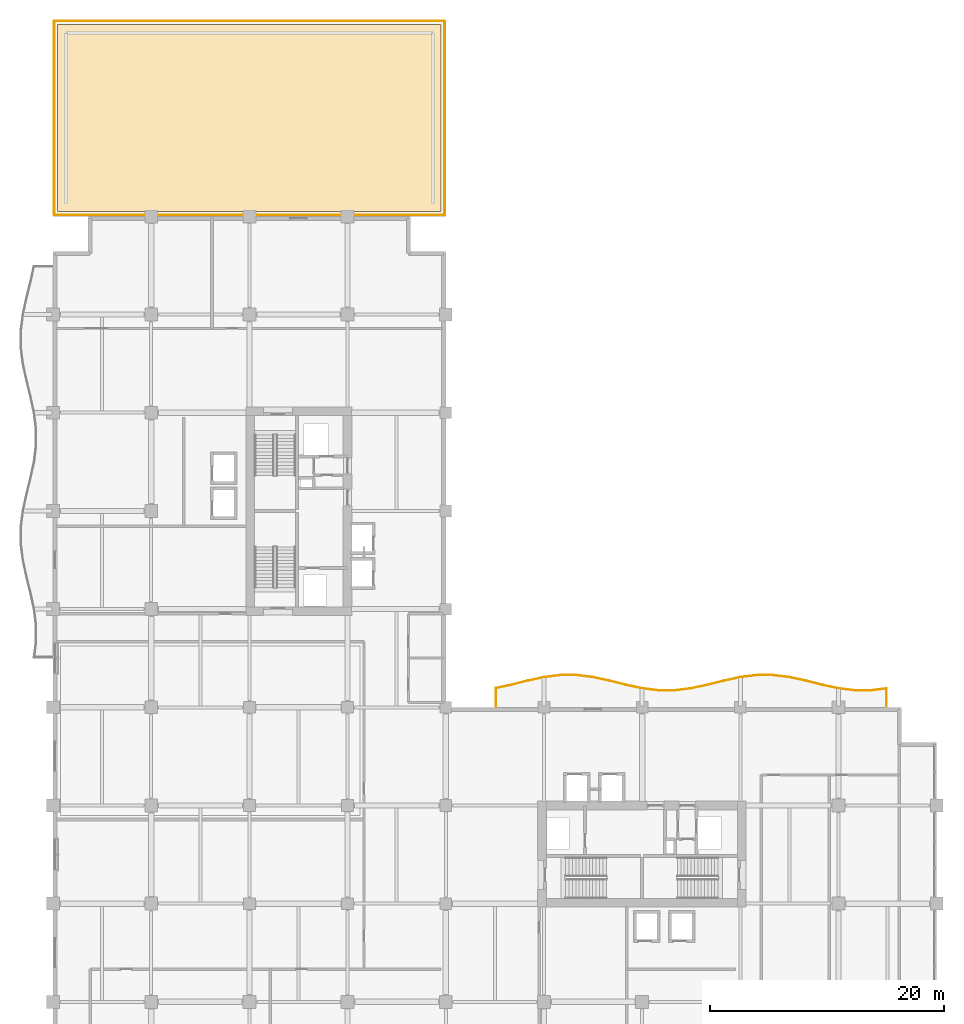
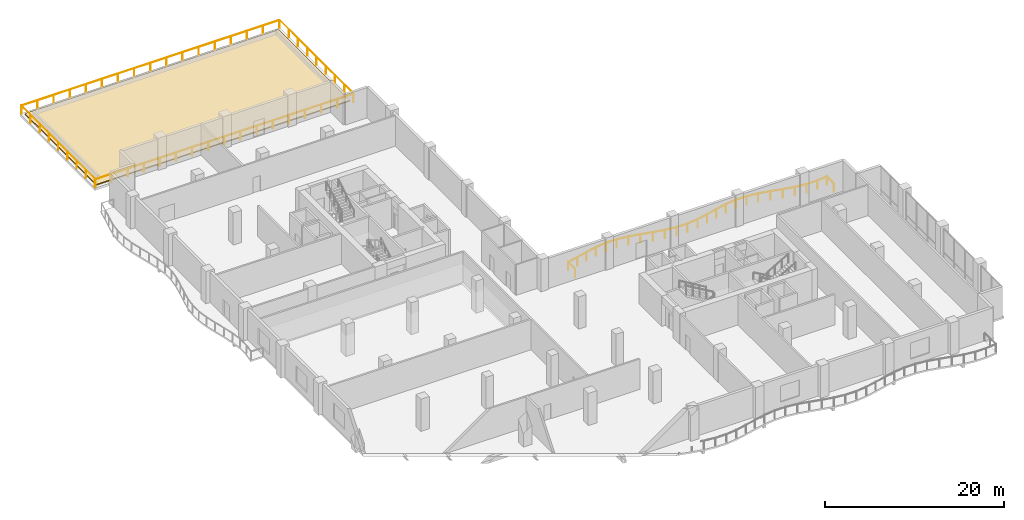
# One storey, part 22 of 22: 5 railings, 1 covering.
"""IFC4 building model written with IfcOpenShell, lengths in metres."""

from ifc_helpers import new_model, si_unit, direction, frame, origin, origin_2d, place, context, subcontext, project, spatial, polyline, circle, outline, extrude, material, layer, layer_set, type_object, element, save


model = new_model("IFC4")

# Units and contexts
model_context = context("Model", 3, precision=1e-05, world=origin(), true_north=direction((0.0, 1.0)))
body_context = subcontext(model_context, "Body", "Model", "MODEL_VIEW")
ifc_project = project(units=[si_unit("LENGTHUNIT", "METRE"), si_unit("AREAUNIT", "SQUARE_METRE"), si_unit("VOLUMEUNIT", "CUBIC_METRE"), si_unit("PLANEANGLEUNIT", "RADIAN"), si_unit("MASSUNIT", "GRAM", prefix="KILO")], contexts=[model_context])

# Site, building, storey
site_placement = place(None, origin())
site = spatial("IfcSite", under=ifc_project, at=site_placement, CompositionType="ELEMENT")
building_placement = place(site_placement, origin())
building = spatial("IfcBuilding", under=site, at=building_placement, Name="Koriwani Terraces Tower", CompositionType="ELEMENT")
storey_placement = place(building_placement, frame((0.0, 0.0, 153.199951171875)))
storey = spatial("IfcBuildingStorey", under=building, at=storey_placement, Name="L37", CompositionType="ELEMENT", Elevation=153.199951171875)

# Railings
ifc_material_1 = material(Name="Steel ASTM A572 Grade 50", Category="steel")
railing_type = type_object("IfcRailingType", Name="GUARD_BALUSTRADE_1150", PredefinedType="BALUSTRADE", material=ifc_material_1)
railing_1_placement = place(storey_placement, frame((71.320068359375, 33.679931640625, 0.0)))
element("IfcRailing", 1, at=railing_1_placement, inside=storey, type_object=railing_type, Name="L37 Balcony Perimeter Safety Balustrade (NE)", PredefinedType="BALUSTRADE", context=body_context, shape_type="SweptSolid", body=[
    extrude(circle(Radius=0.02392578125, at=origin_2d()), frame((0.0, 0.0, 1.1259765625), z_axis=(0.0, 1.0, 0.0), x_axis=(-1.0, 0.0, 0.0)), (0.0, 0.0, 1.0), 1.527099609375),
    extrude(circle(Radius=0.02392578125, at=origin_2d()), frame((0.0, 1.527099609375, 1.1259765625), z_axis=(-0.992331628798, -0.123603958219, 0.0), x_axis=(0.123603958219, -0.992331628798, 0.0)), (0.0, 0.0, 1.0), 1.325439453125),
    extrude(circle(Radius=0.02392578125, at=origin_2d()), frame((-1.315185546875, 1.36328125, 1.1259765625), z_axis=(-1.0, 0.0, 0.0), x_axis=(0.0, -1.0, 0.0)), (0.0, 0.0, 1.0), 1.409912109375),
    extrude(circle(Radius=0.02392578125, at=origin_2d()), frame((-2.72509765625, 1.36328125, 1.1259765625), z_axis=(-0.992301674614, 0.12384420276, 0.0), x_axis=(-0.12384420276, -0.992301674614, 0.0)), (0.0, 0.0, 1.0), 1.41943359375),
    extrude(circle(Radius=0.02392578125, at=origin_2d()), frame((-4.133544921875, 1.5390625, 1.1259765625), z_axis=(-0.977445455552, 0.211188023857, 0.0), x_axis=(-0.211188023857, -0.977445455552, 0.0)), (0.0, 0.0, 1.0), 1.43701171875),
    extrude(circle(Radius=0.02392578125, at=origin_2d()), frame((-5.5380859375, 1.842529296875, 1.1259765625), z_axis=(-0.970251871253, 0.242097720621, 0.0), x_axis=(-0.242097720621, -0.970251871253, 0.0)), (0.0, 0.0, 1.0), 1.443115234375),
    extrude(circle(Radius=0.02392578125, at=origin_2d()), frame((-6.938232421875, 2.19189453125, 1.1259765625), z_axis=(-0.977438029446, 0.211222391315, 0.0), x_axis=(-0.211222391315, -0.977438029446, 0.0)), (0.0, 0.0, 1.0), 1.427490234375),
    extrude(circle(Radius=0.02392578125, at=origin_2d()), frame((-8.33349609375, 2.493408203125, 1.1259765625), z_axis=(-0.992309982997, 0.123777613669, 0.0), x_axis=(-0.123777613669, -0.992309982997, 0.0)), (0.0, 0.0, 1.0), 1.40234375),
    extrude(circle(Radius=0.02392578125, at=origin_2d()), frame((-9.72509765625, 2.6669921875, 1.1259765625), z_axis=(-1.0, 0.0, 0.0), x_axis=(0.0, -1.0, 0.0)), (0.0, 0.0, 1.0), 1.389892578125),
    extrude(circle(Radius=0.02392578125, at=origin_2d()), frame((-11.114990234375, 2.6669921875, 1.1259765625), z_axis=(-0.992309982997, -0.123777613669, 0.0), x_axis=(0.123777613669, -0.992309982997, 0.0)), (0.0, 0.0, 1.0), 1.40234375),
    extrude(circle(Radius=0.02392578125, at=origin_2d()), frame((-12.506591796875, 2.493408203125, 1.1259765625), z_axis=(-0.977438029446, -0.211222391315, 0.0), x_axis=(0.211222391315, -0.977438029446, 0.0)), (0.0, 0.0, 1.0), 1.427490234375),
    extrude(circle(Radius=0.02392578125, at=origin_2d()), frame((-13.90185546875, 2.19189453125, 1.1259765625), z_axis=(-0.970251871253, -0.242097720621, 0.0), x_axis=(0.242097720621, -0.970251871253, 0.0)), (0.0, 0.0, 1.0), 1.443115234375),
    extrude(circle(Radius=0.02392578125, at=origin_2d()), frame((-15.302001953125, 1.842529296875, 1.1259765625), z_axis=(-0.977453031353, -0.21115295759, 0.0), x_axis=(0.21115295759, -0.977453031353, 0.0)), (0.0, 0.0, 1.0), 1.437255859375),
    extrude(circle(Radius=0.02392578125, at=origin_2d()), frame((-16.706787109375, 1.5390625, 1.1259765625), z_axis=(-0.992299035819, -0.123865344277, 0.0), x_axis=(0.123865344277, -0.992299035819, 0.0)), (0.0, 0.0, 1.0), 1.419189453125),
    extrude(circle(Radius=0.02392578125, at=origin_2d()), frame((-18.114990234375, 1.36328125, 1.1259765625), z_axis=(-1.0, 0.0, 0.0), x_axis=(0.0, -1.0, 0.0)), (0.0, 0.0, 1.0), 1.41015625),
    extrude(circle(Radius=0.02392578125, at=origin_2d()), frame((-19.525146484375, 1.36328125, 1.1259765625), z_axis=(-0.992299035819, 0.123865344277, 0.0), x_axis=(-0.123865344277, -0.992299035819, 0.0)), (0.0, 0.0, 1.0), 1.419189453125),
    extrude(circle(Radius=0.02392578125, at=origin_2d()), frame((-20.933349609375, 1.5390625, 1.1259765625), z_axis=(-0.977453031353, 0.21115295759, 0.0), x_axis=(-0.21115295759, -0.977453031353, 0.0)), (0.0, 0.0, 1.0), 1.437255859375),
    extrude(circle(Radius=0.02392578125, at=origin_2d()), frame((-22.338134765625, 1.842529296875, 1.1259765625), z_axis=(-0.970251871253, 0.242097720621, 0.0), x_axis=(-0.242097720621, -0.970251871253, 0.0)), (0.0, 0.0, 1.0), 1.443115234375),
    extrude(circle(Radius=0.02392578125, at=origin_2d()), frame((-23.73828125, 2.19189453125, 1.1259765625), z_axis=(-0.977438029446, 0.211222391315, 0.0), x_axis=(-0.211222391315, -0.977438029446, 0.0)), (0.0, 0.0, 1.0), 1.427490234375),
    extrude(circle(Radius=0.02392578125, at=origin_2d()), frame((-25.133544921875, 2.493408203125, 1.1259765625), z_axis=(-0.992309982997, 0.123777613669, 0.0), x_axis=(-0.123777613669, -0.992309982997, 0.0)), (0.0, 0.0, 1.0), 1.40234375),
    extrude(circle(Radius=0.02392578125, at=origin_2d()), frame((-26.525146484375, 2.6669921875, 1.1259765625), z_axis=(-1.0, 0.0, 0.0), x_axis=(0.0, -1.0, 0.0)), (0.0, 0.0, 1.0), 1.389892578125),
    extrude(circle(Radius=0.02392578125, at=origin_2d()), frame((-27.9150390625, 2.6669921875, 1.1259765625), z_axis=(-0.992309982997, -0.123777613669, 0.0), x_axis=(0.123777613669, -0.992309982997, 0.0)), (0.0, 0.0, 1.0), 1.40234375),
    extrude(circle(Radius=0.02392578125, at=origin_2d()), frame((-29.306640625, 2.493408203125, 1.1259765625), z_axis=(-0.977438029446, -0.211222391315, 0.0), x_axis=(0.211222391315, -0.977438029446, 0.0)), (0.0, 0.0, 1.0), 1.427490234375),
    extrude(circle(Radius=0.02392578125, at=origin_2d()), frame((-30.701904296875, 2.19189453125, 1.1259765625), z_axis=(-0.970251871253, -0.242097720621, 0.0), x_axis=(0.242097720621, -0.970251871253, 0.0)), (0.0, 0.0, 1.0), 1.443115234375),
    extrude(circle(Radius=0.02392578125, at=origin_2d()), frame((-32.10205078125, 1.842529296875, 1.1259765625), z_axis=(-0.977417151998, -0.211318979222, 0.0), x_axis=(0.211318979222, -0.977417151998, 0.0)), (0.0, 0.0, 1.0), 1.369140625),
    extrude(circle(Radius=0.02392578125, at=origin_2d()), frame((-33.440185546875, 1.55322265625, 1.1259765625), z_axis=(0.0, -1.0, 0.0), x_axis=(1.0, 0.0, 0.0)), (0.0, 0.0, 1.0), 1.55322265625),
    extrude(circle(Radius=0.02099609375, at=origin_2d()), origin(), (0.0, 0.0, 1.0), 1.101806640625),
    extrude(circle(Radius=0.02099609375, at=origin_2d()), frame((0.0, 1.527099609375, 0.0)), (0.0, 0.0, 1.0), 1.101806640625),
    extrude(circle(Radius=0.02099609375, at=origin_2d()), frame((-1.315185546875, 1.36328125, 0.0)), (0.0, 0.0, 1.0), 1.101806640625),
    extrude(circle(Radius=0.02099609375, at=origin_2d()), frame((-2.72509765625, 1.36328125, 0.0)), (0.0, 0.0, 1.0), 1.101806640625),
    extrude(circle(Radius=0.02099609375, at=origin_2d()), frame((-4.133544921875, 1.5390625, 0.0)), (0.0, 0.0, 1.0), 1.101806640625),
    extrude(circle(Radius=0.02099609375, at=origin_2d()), frame((-5.5380859375, 1.842529296875, 0.0)), (0.0, 0.0, 1.0), 1.101806640625),
    extrude(circle(Radius=0.02099609375, at=origin_2d()), frame((-6.938232421875, 2.19189453125, 0.0)), (0.0, 0.0, 1.0), 1.101806640625),
    extrude(circle(Radius=0.02099609375, at=origin_2d()), frame((-8.33349609375, 2.493408203125, 0.0)), (0.0, 0.0, 1.0), 1.101806640625),
    extrude(circle(Radius=0.02099609375, at=origin_2d()), frame((-9.72509765625, 2.6669921875, 0.0)), (0.0, 0.0, 1.0), 1.101806640625),
    extrude(circle(Radius=0.02099609375, at=origin_2d()), frame((-11.114990234375, 2.6669921875, 0.0)), (0.0, 0.0, 1.0), 1.101806640625),
    extrude(circle(Radius=0.02099609375, at=origin_2d()), frame((-12.506591796875, 2.493408203125, 0.0)), (0.0, 0.0, 1.0), 1.101806640625),
    extrude(circle(Radius=0.02099609375, at=origin_2d()), frame((-13.90185546875, 2.19189453125, 0.0)), (0.0, 0.0, 1.0), 1.101806640625),
    extrude(circle(Radius=0.02099609375, at=origin_2d()), frame((-15.302001953125, 1.842529296875, 0.0)), (0.0, 0.0, 1.0), 1.101806640625),
    extrude(circle(Radius=0.02099609375, at=origin_2d()), frame((-16.706787109375, 1.5390625, 0.0)), (0.0, 0.0, 1.0), 1.101806640625),
    extrude(circle(Radius=0.02099609375, at=origin_2d()), frame((-18.114990234375, 1.36328125, 0.0)), (0.0, 0.0, 1.0), 1.101806640625),
    extrude(circle(Radius=0.02099609375, at=origin_2d()), frame((-19.525146484375, 1.36328125, 0.0)), (0.0, 0.0, 1.0), 1.101806640625),
    extrude(circle(Radius=0.02099609375, at=origin_2d()), frame((-20.933349609375, 1.5390625, 0.0)), (0.0, 0.0, 1.0), 1.101806640625),
    extrude(circle(Radius=0.02099609375, at=origin_2d()), frame((-22.338134765625, 1.842529296875, 0.0)), (0.0, 0.0, 1.0), 1.101806640625),
    extrude(circle(Radius=0.02099609375, at=origin_2d()), frame((-23.73828125, 2.19189453125, 0.0)), (0.0, 0.0, 1.0), 1.101806640625),
    extrude(circle(Radius=0.02099609375, at=origin_2d()), frame((-25.133544921875, 2.493408203125, 0.0)), (0.0, 0.0, 1.0), 1.101806640625),
    extrude(circle(Radius=0.02099609375, at=origin_2d()), frame((-26.525146484375, 2.6669921875, 0.0)), (0.0, 0.0, 1.0), 1.101806640625),
    extrude(circle(Radius=0.02099609375, at=origin_2d()), frame((-27.9150390625, 2.6669921875, 0.0)), (0.0, 0.0, 1.0), 1.101806640625),
    extrude(circle(Radius=0.02099609375, at=origin_2d()), frame((-29.306640625, 2.493408203125, 0.0)), (0.0, 0.0, 1.0), 1.101806640625),
    extrude(circle(Radius=0.02099609375, at=origin_2d()), frame((-30.701904296875, 2.19189453125, 0.0)), (0.0, 0.0, 1.0), 1.101806640625),
    extrude(circle(Radius=0.02099609375, at=origin_2d()), frame((-32.10205078125, 1.842529296875, 0.0)), (0.0, 0.0, 1.0), 1.101806640625),
    extrude(circle(Radius=0.02099609375, at=origin_2d()), frame((-33.440185546875, 1.55322265625, 0.0)), (0.0, 0.0, 1.0), 1.101806640625),
    extrude(circle(Radius=0.02099609375, at=origin_2d()), frame((-33.440185546875, 0.0, 0.0)), (0.0, 0.0, 1.0), 1.101806640625),
])
railing_2_placement = place(storey_placement, frame((0.10009765625, 75.735107421875, 0.0)))
element("IfcRailing", 2, at=railing_2_placement, inside=storey, type_object=railing_type, Name="L37 Setback Sky-Garden Terrace Balustrade Segment 1", PredefinedType="BALUSTRADE", context=body_context, shape_type="SweptSolid", body=[
    extrude(circle(Radius=0.02490234375, at=origin_2d()), frame((0.0, 0.0, 1.125), z_axis=(0.0, 1.0, 0.0), x_axis=(-1.0, 0.0, 0.0)), (0.0, 0.0, 1.0), 16.52978515625),
    extrude(circle(Radius=0.0224609375, at=origin_2d()), origin(), (0.0, 0.0, 1.0), 1.099853515625),
    extrude(circle(Radius=0.0224609375, at=origin_2d()), frame((0.0, 2.066162109375, 0.0)), (0.0, 0.0, 1.0), 1.099853515625),
    extrude(circle(Radius=0.0224609375, at=origin_2d()), frame((0.0, 4.13232421875, 0.0)), (0.0, 0.0, 1.0), 1.099853515625),
    extrude(circle(Radius=0.0224609375, at=origin_2d()), frame((0.0, 6.19873046875, 0.0)), (0.0, 0.0, 1.0), 1.099853515625),
    extrude(circle(Radius=0.0224609375, at=origin_2d()), frame((0.0, 8.264892578125, 0.0)), (0.0, 0.0, 1.0), 1.099853515625),
    extrude(circle(Radius=0.0224609375, at=origin_2d()), frame((0.0, 10.3310546875, 0.0)), (0.0, 0.0, 1.0), 1.099853515625),
    extrude(circle(Radius=0.0224609375, at=origin_2d()), frame((0.0, 12.3974609375, 0.0)), (0.0, 0.0, 1.0), 1.099853515625),
    extrude(circle(Radius=0.0224609375, at=origin_2d()), frame((0.0, 14.463623046875, 0.0)), (0.0, 0.0, 1.0), 1.099853515625),
    extrude(circle(Radius=0.0224609375, at=origin_2d()), frame((0.0, 16.52978515625, 0.0)), (0.0, 0.0, 1.0), 1.099853515625),
])
railing_3_placement = place(storey_placement, frame((0.135009765625, 92.300048828125, 0.0)))
element("IfcRailing", 3, at=railing_3_placement, inside=storey, type_object=railing_type, Name="L37 Setback Sky-Garden Terrace Balustrade Segment 2", PredefinedType="BALUSTRADE", context=body_context, shape_type="SweptSolid", body=[
    extrude(circle(Radius=0.02490234375, at=origin_2d()), frame((0.0, 0.0, 1.125), z_axis=(1.0, 0.0, 0.0), x_axis=(0.0, 1.0, 0.0)), (0.0, 0.0, 1.0), 33.330078125),
    extrude(circle(Radius=0.0224609375, at=origin_2d()), origin(), (0.0, 0.0, 1.0), 1.099853515625),
    extrude(circle(Radius=0.0224609375, at=origin_2d()), frame((2.0830078125, 0.0, 0.0)), (0.0, 0.0, 1.0), 1.099853515625),
    extrude(circle(Radius=0.0224609375, at=origin_2d()), frame((4.166259765625, 0.0, 0.0)), (0.0, 0.0, 1.0), 1.099853515625),
    extrude(circle(Radius=0.0224609375, at=origin_2d()), frame((6.24951171875, 0.0, 0.0)), (0.0, 0.0, 1.0), 1.099853515625),
    extrude(circle(Radius=0.0224609375, at=origin_2d()), frame((8.33251953125, 0.0, 0.0)), (0.0, 0.0, 1.0), 1.099853515625),
    extrude(circle(Radius=0.0224609375, at=origin_2d()), frame((10.41552734375, 0.0, 0.0)), (0.0, 0.0, 1.0), 1.099853515625),
    extrude(circle(Radius=0.0224609375, at=origin_2d()), frame((12.498779296875, 0.0, 0.0)), (0.0, 0.0, 1.0), 1.099853515625),
    extrude(circle(Radius=0.0224609375, at=origin_2d()), frame((14.58203125, 0.0, 0.0)), (0.0, 0.0, 1.0), 1.099853515625),
    extrude(circle(Radius=0.0224609375, at=origin_2d()), frame((16.6650390625, 0.0, 0.0)), (0.0, 0.0, 1.0), 1.099853515625),
    extrude(circle(Radius=0.0224609375, at=origin_2d()), frame((18.748046875, 0.0, 0.0)), (0.0, 0.0, 1.0), 1.099853515625),
    extrude(circle(Radius=0.0224609375, at=origin_2d()), frame((20.831298828125, 0.0, 0.0)), (0.0, 0.0, 1.0), 1.099853515625),
    extrude(circle(Radius=0.0224609375, at=origin_2d()), frame((22.91455078125, 0.0, 0.0)), (0.0, 0.0, 1.0), 1.099853515625),
    extrude(circle(Radius=0.0224609375, at=origin_2d()), frame((24.99755859375, 0.0, 0.0)), (0.0, 0.0, 1.0), 1.099853515625),
    extrude(circle(Radius=0.0224609375, at=origin_2d()), frame((27.08056640625, 0.0, 0.0)), (0.0, 0.0, 1.0), 1.099853515625),
    extrude(circle(Radius=0.0224609375, at=origin_2d()), frame((29.163818359375, 0.0, 0.0)), (0.0, 0.0, 1.0), 1.099853515625),
    extrude(circle(Radius=0.0224609375, at=origin_2d()), frame((31.2470703125, 0.0, 0.0)), (0.0, 0.0, 1.0), 1.099853515625),
    extrude(circle(Radius=0.0224609375, at=origin_2d()), frame((33.330078125, 0.0, 0.0)), (0.0, 0.0, 1.0), 1.099853515625),
])
railing_4_placement = place(storey_placement, frame((33.5, 92.264892578125, 0.0)))
element("IfcRailing", 4, at=railing_4_placement, inside=storey, type_object=railing_type, Name="L37 Setback Sky-Garden Terrace Balustrade Segment 3", PredefinedType="BALUSTRADE", context=body_context, shape_type="SweptSolid", body=[
    extrude(circle(Radius=0.02490234375, at=origin_2d()), frame((0.0, 0.0, 1.125), z_axis=(0.0, -1.0, 0.0), x_axis=(1.0, 0.0, 0.0)), (0.0, 0.0, 1.0), 16.52978515625),
    extrude(circle(Radius=0.0224609375, at=origin_2d()), origin(), (0.0, 0.0, 1.0), 1.099853515625),
    extrude(circle(Radius=0.0224609375, at=origin_2d()), frame((0.0, -2.066162109375, 0.0)), (0.0, 0.0, 1.0), 1.099853515625),
    extrude(circle(Radius=0.0224609375, at=origin_2d()), frame((0.0, -4.13232421875, 0.0)), (0.0, 0.0, 1.0), 1.099853515625),
    extrude(circle(Radius=0.0224609375, at=origin_2d()), frame((0.0, -6.19873046875, 0.0)), (0.0, 0.0, 1.0), 1.099853515625),
    extrude(circle(Radius=0.0224609375, at=origin_2d()), frame((0.0, -8.264892578125, 0.0)), (0.0, 0.0, 1.0), 1.099853515625),
    extrude(circle(Radius=0.0224609375, at=origin_2d()), frame((0.0, -10.3310546875, 0.0)), (0.0, 0.0, 1.0), 1.099853515625),
    extrude(circle(Radius=0.0224609375, at=origin_2d()), frame((0.0, -12.3974609375, 0.0)), (0.0, 0.0, 1.0), 1.099853515625),
    extrude(circle(Radius=0.0224609375, at=origin_2d()), frame((0.0, -14.463623046875, 0.0)), (0.0, 0.0, 1.0), 1.099853515625),
    extrude(circle(Radius=0.0224609375, at=origin_2d()), frame((0.0, -16.52978515625, 0.0)), (0.0, 0.0, 1.0), 1.099853515625),
])
railing_5_placement = place(storey_placement, frame((33.465087890625, 75.699951171875, 0.0)))
element("IfcRailing", 5, at=railing_5_placement, inside=storey, type_object=railing_type, Name="L37 Setback Sky-Garden Terrace Balustrade Segment 4", PredefinedType="BALUSTRADE", context=body_context, shape_type="SweptSolid", body=[
    extrude(circle(Radius=0.02490234375, at=origin_2d()), frame((0.0, 0.0, 1.125), z_axis=(-1.0, 0.0, 0.0), x_axis=(0.0, -1.0, 0.0)), (0.0, 0.0, 1.0), 33.330078125),
    extrude(circle(Radius=0.0224609375, at=origin_2d()), origin(), (0.0, 0.0, 1.0), 1.099853515625),
    extrude(circle(Radius=0.0224609375, at=origin_2d()), frame((-2.0830078125, 0.0, 0.0)), (0.0, 0.0, 1.0), 1.099853515625),
    extrude(circle(Radius=0.0224609375, at=origin_2d()), frame((-4.166259765625, 0.0, 0.0)), (0.0, 0.0, 1.0), 1.099853515625),
    extrude(circle(Radius=0.0224609375, at=origin_2d()), frame((-6.24951171875, 0.0, 0.0)), (0.0, 0.0, 1.0), 1.099853515625),
    extrude(circle(Radius=0.0224609375, at=origin_2d()), frame((-8.33251953125, 0.0, 0.0)), (0.0, 0.0, 1.0), 1.099853515625),
    extrude(circle(Radius=0.0224609375, at=origin_2d()), frame((-10.41552734375, 0.0, 0.0)), (0.0, 0.0, 1.0), 1.099853515625),
    extrude(circle(Radius=0.0224609375, at=origin_2d()), frame((-12.498779296875, 0.0, 0.0)), (0.0, 0.0, 1.0), 1.099853515625),
    extrude(circle(Radius=0.0224609375, at=origin_2d()), frame((-14.58203125, 0.0, 0.0)), (0.0, 0.0, 1.0), 1.099853515625),
    extrude(circle(Radius=0.0224609375, at=origin_2d()), frame((-16.6650390625, 0.0, 0.0)), (0.0, 0.0, 1.0), 1.099853515625),
    extrude(circle(Radius=0.0224609375, at=origin_2d()), frame((-18.748046875, 0.0, 0.0)), (0.0, 0.0, 1.0), 1.099853515625),
    extrude(circle(Radius=0.0224609375, at=origin_2d()), frame((-20.831298828125, 0.0, 0.0)), (0.0, 0.0, 1.0), 1.099853515625),
    extrude(circle(Radius=0.0224609375, at=origin_2d()), frame((-22.91455078125, 0.0, 0.0)), (0.0, 0.0, 1.0), 1.099853515625),
    extrude(circle(Radius=0.0224609375, at=origin_2d()), frame((-24.99755859375, 0.0, 0.0)), (0.0, 0.0, 1.0), 1.099853515625),
    extrude(circle(Radius=0.0224609375, at=origin_2d()), frame((-27.08056640625, 0.0, 0.0)), (0.0, 0.0, 1.0), 1.099853515625),
    extrude(circle(Radius=0.0224609375, at=origin_2d()), frame((-29.163818359375, 0.0, 0.0)), (0.0, 0.0, 1.0), 1.099853515625),
    extrude(circle(Radius=0.0224609375, at=origin_2d()), frame((-31.2470703125, 0.0, 0.0)), (0.0, 0.0, 1.0), 1.099853515625),
    extrude(circle(Radius=0.0224609375, at=origin_2d()), frame((-33.330078125, 0.0, 0.0)), (0.0, 0.0, 1.0), 1.099853515625),
])

# Covering
ifc_material_2 = material(Name="Insulated Modified Bitumen Roofing", Category="masonry")
ifc_layer = layer(ifc_material_2, 0.139892578125, Name="Insulated Modified Bitumen Roofing")
ifc_layer_set = layer_set([ifc_layer], Name="Insulated Modified Bitumen Roofing")
covering_type = type_object("IfcCoveringType", Name="ROOFING_MEMBRANE_INSUL", PredefinedType="ROOFING", material=ifc_layer_set)
covering_placement = place(storey_placement, origin())
element("IfcCovering", 6, at=covering_placement, inside=storey, type_object=covering_type, Name="L37 Sky-Garden Terrace Waterproofing & Planted Media", PredefinedType="ROOFING", context=body_context, shape_type="SweptSolid", body=[
    extrude(outline(polyline([(0.39990234375, 76.0), (0.39990234375, 92.0), (33.199951171875, 92.0), (33.199951171875, 76.0), (0.39990234375, 76.0)])), origin(), (0.0, 0.0, 1.0), 0.14013671875),
])

save(model, "model.ifc")
